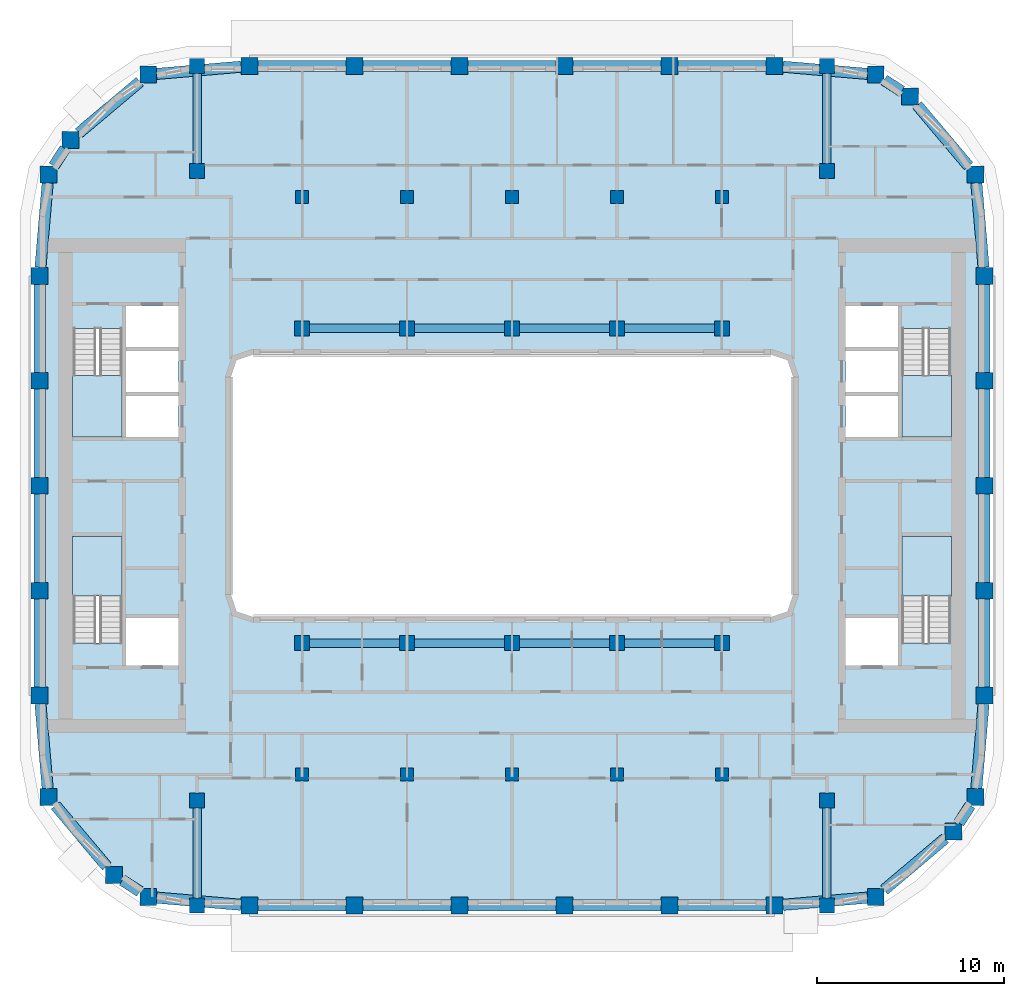
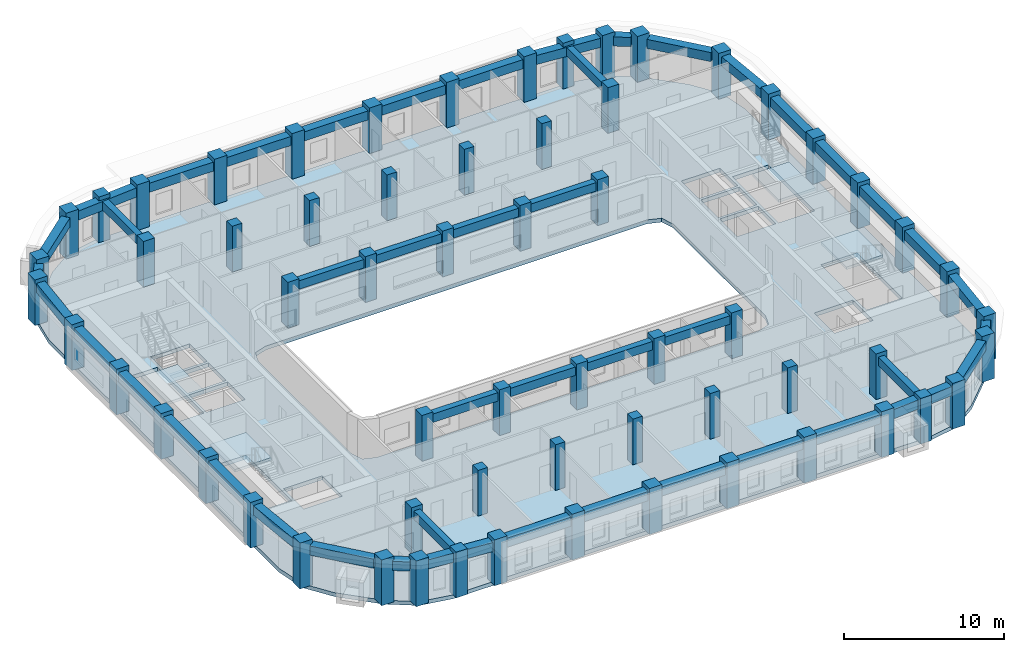
# One storey, part 1 of 21: 62 columns, 46 beams, 5 slabs, 4 elements without a shape of their own.
"""IFC4 building model written with IfcOpenShell, lengths in metres."""

from ifc_helpers import new_model, si_unit, direction, frame, origin, origin_2d, place, context, subcontext, project, spatial, polyline, rectangle, outline, extrude, material, layer, layer_set, material_profile, profile_set, type_object, element, aggregate, save


model = new_model("IFC4")

# Units and contexts
model_context = context("Model", 3, precision=1e-05, world=origin(), true_north=direction((0.0, 1.0)))
body_context = subcontext(model_context, "Body", "Model", "MODEL_VIEW")
ifc_project = project(units=[si_unit("LENGTHUNIT", "METRE"), si_unit("AREAUNIT", "SQUARE_METRE"), si_unit("VOLUMEUNIT", "CUBIC_METRE"), si_unit("PLANEANGLEUNIT", "RADIAN"), si_unit("MASSUNIT", "GRAM", prefix="KILO")], contexts=[model_context])

# Site, building, storey
site_placement = place(None, origin())
site = spatial("IfcSite", under=ifc_project, at=site_placement, CompositionType="ELEMENT")
building_placement = place(site_placement, origin())
building = spatial("IfcBuilding", under=site, at=building_placement, Name="Kiln Ring Residences", CompositionType="ELEMENT")
storey_placement = place(building_placement, frame((0.0, 0.0, 192.39990234375)))
storey = spatial("IfcBuildingStorey", under=building, at=storey_placement, Name="L49", CompositionType="ELEMENT", Elevation=192.39990234375)

# Columns
ifc_material_1 = material(Name="Concrete C70/85", Category="concrete")
ifc_material_profile_1 = material_profile(ifc_material_1, rectangle(XDim=0.699951171875, YDim=0.699951171875, at=origin_2d()), Name="RC700x700")
ifc_profile_set_1 = profile_set([ifc_material_profile_1], Name="Concrete C70/85")
column_type_1 = type_object("IfcColumnType", Name="Corridor column RC700x700 C70/85", PredefinedType="COLUMN", material=ifc_profile_set_1)
for number, where, z_axis, x_axis, name in (
    (1, (-11.199951171875, 15.39990234375, 0.0), (0.0, 0.0, 1.0), (1.0, 0.0, 0.0), "Corridor column L49 1"),
    (2, (-5.60009765625, 15.39990234375, 0.0), (0.0, 0.0, 1.0), (1.0, 0.0, 0.0), "Corridor column L49 2"),
    (3, (0.0, 15.39990234375, 0.0), (0.0, 0.0, 1.0), (1.0, 0.0, 0.0), "Corridor column L49 3"),
    (4, (5.60009765625, 15.39990234375, 0.0), (0.0, 0.0, 1.0), (1.0, 0.0, 0.0), "Corridor column L49 4"),
    (5, (11.199951171875, 15.39990234375, 0.0), (0.0, 0.0, 1.0), (1.0, 0.0, 0.0), "Corridor column L49 5"),
    (6, (-11.199951171875, -15.39990234375, 0.0), (0.0, 0.0, 1.0), (1.0, 0.0, 0.0), "Corridor column L49 6"),
    (7, (-5.60009765625, -15.39990234375, 0.0), (0.0, 0.0, 1.0), (1.0, 0.0, 0.0), "Corridor column L49 7"),
    (8, (0.0, -15.39990234375, 0.0), (0.0, 0.0, 1.0), (1.0, 0.0, 0.0), "Corridor column L49 8"),
    (9, (5.60009765625, -15.39990234375, 0.0), (0.0, 0.0, 1.0), (1.0, 0.0, 0.0), "Corridor column L49 9"),
    (10, (11.199951171875, -15.39990234375, 0.0), (0.0, 0.0, 1.0), (1.0, 0.0, 0.0), "Corridor column L49 10"),
):
    element("IfcColumn", number, at=place(storey_placement, frame(where, z_axis=z_axis, x_axis=x_axis)), inside=storey, type_object=column_type_1, Name=name, PredefinedType="COLUMN", context=body_context, shape_type="SweptSolid", body=[
        extrude(rectangle(XDim=0.699951171875, YDim=0.699951171875, at=origin_2d()), origin(), (0.0, 0.0, 1.0), 3.5),
    ])
ifc_material_2 = material(Name="Concrete C70/85", Category="concrete")
ifc_material_profile_2 = material_profile(ifc_material_2, rectangle(XDim=0.89990234375, YDim=0.89990234375, at=origin_2d()), Name="RC900x900")
ifc_profile_set_2 = profile_set([ifc_material_profile_2], Name="Concrete C70/85")
column_type_2 = type_object("IfcColumnType", Name="Perimeter column RC900x900 C70/85", PredefinedType="COLUMN", material=ifc_profile_set_2)
for number, where, z_axis, x_axis, name in (
    (11, (-19.40869140625, -21.93798828125, 0.0), (0.0, 0.0, 1.0), (1.0, 0.0, 0.0), "Perimeter column L49 1"),
    (12, (-14.0, -22.39990234375, 0.0), (0.0, 0.0, 1.0), (1.0, 0.0, 0.0), "Perimeter column L49 2"),
    (13, (-8.39990234375, -22.39990234375, 0.0), (0.0, 0.0, 1.0), (1.0, 0.0, 0.0), "Perimeter column L49 3"),
    (14, (-2.800048828125, -22.39990234375, 0.0), (0.0, 0.0, 1.0), (1.0, 0.0, 0.0), "Perimeter column L49 4"),
    (15, (2.800048828125, -22.39990234375, 0.0), (0.0, 0.0, 1.0), (1.0, 0.0, 0.0), "Perimeter column L49 5"),
    (16, (8.39990234375, -22.39990234375, 0.0), (0.0, 0.0, 1.0), (1.0, 0.0, 0.0), "Perimeter column L49 6"),
    (17, (14.0, -22.39990234375, 0.0), (0.0, 0.0, 1.0), (1.0, 0.0, 0.0), "Perimeter column L49 7"),
    (18, (19.40869140625, -21.93798828125, 0.0), (0.0, 0.0, 1.0), (1.0, 0.0, 0.0), "Perimeter column L49 8"),
    (19, (23.559814453125, -18.440185546875, 0.0), (0.0, 0.0, 1.0), (1.0, 0.0, 0.0), "Perimeter column L49 9"),
    (20, (24.738037109375, -16.608642578125, 0.0), (0.0, 0.0, 1.0), (1.0, 0.0, 0.0), "Perimeter column L49 10"),
    (21, (25.199951171875, -11.199951171875, 0.0), (0.0, 0.0, 1.0), (1.0, 0.0, 0.0), "Perimeter column L49 11"),
    (22, (25.199951171875, -5.60009765625, 0.0), (0.0, 0.0, 1.0), (1.0, 0.0, 0.0), "Perimeter column L49 12"),
    (23, (25.199951171875, 0.0, 0.0), (0.0, 0.0, 1.0), (1.0, 0.0, 0.0), "Perimeter column L49 13"),
    (24, (25.199951171875, 5.60009765625, 0.0), (0.0, 0.0, 1.0), (1.0, 0.0, 0.0), "Perimeter column L49 14"),
    (25, (25.199951171875, 11.199951171875, 0.0), (0.0, 0.0, 1.0), (1.0, 0.0, 0.0), "Perimeter column L49 15"),
    (26, (24.738037109375, 16.608642578125, 0.0), (0.0, 0.0, 1.0), (1.0, 0.0, 0.0), "Perimeter column L49 16"),
    (27, (21.240234375, 20.759765625, 0.0), (0.0, 0.0, 1.0), (1.0, 0.0, 0.0), "Perimeter column L49 17"),
    (28, (19.40869140625, 21.93798828125, 0.0), (0.0, 0.0, 1.0), (1.0, 0.0, 0.0), "Perimeter column L49 18"),
    (29, (14.0, 22.39990234375, 0.0), (0.0, 0.0, 1.0), (1.0, 0.0, 0.0), "Perimeter column L49 19"),
    (30, (8.39990234375, 22.39990234375, 0.0), (0.0, 0.0, 1.0), (1.0, 0.0, 0.0), "Perimeter column L49 20"),
    (31, (2.800048828125, 22.39990234375, 0.0), (0.0, 0.0, 1.0), (1.0, 0.0, 0.0), "Perimeter column L49 21"),
    (32, (-2.800048828125, 22.39990234375, 0.0), (0.0, 0.0, 1.0), (1.0, 0.0, 0.0), "Perimeter column L49 22"),
    (33, (-8.39990234375, 22.39990234375, 0.0), (0.0, 0.0, 1.0), (1.0, 0.0, 0.0), "Perimeter column L49 23"),
    (34, (-14.0, 22.39990234375, 0.0), (0.0, 0.0, 1.0), (1.0, 0.0, 0.0), "Perimeter column L49 24"),
    (35, (-19.40869140625, 21.93798828125, 0.0), (0.0, 0.0, 1.0), (1.0, 0.0, 0.0), "Perimeter column L49 25"),
    (36, (-23.559814453125, 18.440185546875, 0.0), (0.0, 0.0, 1.0), (1.0, 0.0, 0.0), "Perimeter column L49 26"),
    (37, (-24.738037109375, 16.608642578125, 0.0), (0.0, 0.0, 1.0), (1.0, 0.0, 0.0), "Perimeter column L49 27"),
    (38, (-25.199951171875, 11.199951171875, 0.0), (0.0, 0.0, 1.0), (1.0, 0.0, 0.0), "Perimeter column L49 28"),
    (39, (-25.199951171875, 5.60009765625, 0.0), (0.0, 0.0, 1.0), (1.0, 0.0, 0.0), "Perimeter column L49 29"),
    (40, (-25.199951171875, 0.0, 0.0), (0.0, 0.0, 1.0), (1.0, 0.0, 0.0), "Perimeter column L49 30"),
    (41, (-25.199951171875, -5.60009765625, 0.0), (0.0, 0.0, 1.0), (1.0, 0.0, 0.0), "Perimeter column L49 31"),
    (42, (-25.199951171875, -11.199951171875, 0.0), (0.0, 0.0, 1.0), (1.0, 0.0, 0.0), "Perimeter column L49 32"),
    (43, (-24.738037109375, -16.608642578125, 0.0), (0.0, 0.0, 1.0), (1.0, 0.0, 0.0), "Perimeter column L49 33"),
    (44, (-21.240234375, -20.759765625, 0.0), (0.0, 0.0, 1.0), (1.0, 0.0, 0.0), "Perimeter column L49 34"),
):
    element("IfcColumn", number, at=place(storey_placement, frame(where, z_axis=z_axis, x_axis=x_axis)), inside=storey, type_object=column_type_2, Name=name, PredefinedType="COLUMN", context=body_context, shape_type="SweptSolid", body=[
        extrude(rectangle(XDim=0.89990234375, YDim=0.89990234375, at=origin_2d()), origin(), (0.0, 0.0, 1.0), 3.5),
    ])
ifc_material_3 = material(Name="Concrete C70/85", Category="concrete")
ifc_material_profile_3 = material_profile(ifc_material_3, rectangle(XDim=0.800048828125, YDim=0.800048828125, at=origin_2d()), Name="RC800x800")
ifc_profile_set_3 = profile_set([ifc_material_profile_3], Name="Concrete C70/85")
column_type_3 = type_object("IfcColumnType", Name="Ring column RC800x800 C70/85", PredefinedType="COLUMN", material=ifc_profile_set_3)
for number, where, z_axis, x_axis, name in (
    (45, (-16.800048828125, -22.39990234375, 0.0), (0.0, 0.0, 1.0), (1.0, 0.0, 0.0), "Ring column L49 1"),
    (46, (-16.800048828125, -16.800048828125, 0.0), (0.0, 0.0, 1.0), (1.0, 0.0, 0.0), "Ring column L49 2"),
    (47, (-16.800048828125, 16.800048828125, 0.0), (0.0, 0.0, 1.0), (1.0, 0.0, 0.0), "Ring column L49 3"),
    (48, (-16.800048828125, 22.39990234375, 0.0), (0.0, 0.0, 1.0), (1.0, 0.0, 0.0), "Ring column L49 4"),
    (49, (-11.199951171875, -8.39990234375, 0.0), (0.0, 0.0, 1.0), (1.0, 0.0, 0.0), "Ring column L49 5"),
    (50, (-11.199951171875, 8.39990234375, 0.0), (0.0, 0.0, 1.0), (1.0, 0.0, 0.0), "Ring column L49 6"),
    (51, (-5.60009765625, -8.39990234375, 0.0), (0.0, 0.0, 1.0), (1.0, 0.0, 0.0), "Ring column L49 7"),
    (52, (-5.60009765625, 8.39990234375, 0.0), (0.0, 0.0, 1.0), (1.0, 0.0, 0.0), "Ring column L49 8"),
    (53, (0.0, -8.39990234375, 0.0), (0.0, 0.0, 1.0), (1.0, 0.0, 0.0), "Ring column L49 9"),
    (54, (0.0, 8.39990234375, 0.0), (0.0, 0.0, 1.0), (1.0, 0.0, 0.0), "Ring column L49 10"),
    (55, (5.60009765625, -8.39990234375, 0.0), (0.0, 0.0, 1.0), (1.0, 0.0, 0.0), "Ring column L49 11"),
    (56, (5.60009765625, 8.39990234375, 0.0), (0.0, 0.0, 1.0), (1.0, 0.0, 0.0), "Ring column L49 12"),
    (57, (11.199951171875, -8.39990234375, 0.0), (0.0, 0.0, 1.0), (1.0, 0.0, 0.0), "Ring column L49 13"),
    (58, (11.199951171875, 8.39990234375, 0.0), (0.0, 0.0, 1.0), (1.0, 0.0, 0.0), "Ring column L49 14"),
    (59, (16.800048828125, -22.39990234375, 0.0), (0.0, 0.0, 1.0), (1.0, 0.0, 0.0), "Ring column L49 15"),
    (60, (16.800048828125, -16.800048828125, 0.0), (0.0, 0.0, 1.0), (1.0, 0.0, 0.0), "Ring column L49 16"),
    (61, (16.800048828125, 16.800048828125, 0.0), (0.0, 0.0, 1.0), (1.0, 0.0, 0.0), "Ring column L49 17"),
    (62, (16.800048828125, 22.39990234375, 0.0), (0.0, 0.0, 1.0), (1.0, 0.0, 0.0), "Ring column L49 18"),
):
    element("IfcColumn", number, at=place(storey_placement, frame(where, z_axis=z_axis, x_axis=x_axis)), inside=storey, type_object=column_type_3, Name=name, PredefinedType="COLUMN", context=body_context, shape_type="SweptSolid", body=[
        extrude(rectangle(XDim=0.800048828125, YDim=0.800048828125, at=origin_2d()), origin(), (0.0, 0.0, 1.0), 3.5),
    ])

# Beams
ifc_material_4 = material(Name="Concrete C50/60", Category="concrete")
ifc_material_profile_4 = material_profile(ifc_material_4, rectangle(XDim=0.449951171875, YDim=0.64990234375, at=origin_2d()), Name="RC450x650")
ifc_profile_set_4 = profile_set([ifc_material_profile_4], Name="Concrete C50/60")
beam_type_1 = type_object("IfcBeamType", Name="Ring beam RC450x650 C50/60", PredefinedType="BEAM", material=ifc_profile_set_4)
for number, where, z_axis, x_axis, name in (
    (63, (-10.800048828125, -8.39990234375, 2.875), (1.0, 0.0, 0.0), (0.0, 1.0, 0.0), "Ring beam L49 1"),
    (64, (-5.199951171875, -8.39990234375, 2.875), (1.0, 0.0, 0.0), (0.0, 1.0, 0.0), "Ring beam L49 2"),
    (65, (0.39990234375, -8.39990234375, 2.875), (1.0, 0.0, 0.0), (0.0, 1.0, 0.0), "Ring beam L49 3"),
    (66, (6.0, -8.39990234375, 2.875), (1.0, 0.0, 0.0), (0.0, 1.0, 0.0), "Ring beam L49 4"),
    (67, (-10.800048828125, 8.39990234375, 2.875), (1.0, 0.0, 0.0), (0.0, 1.0, 0.0), "Ring beam L49 5"),
    (68, (-5.199951171875, 8.39990234375, 2.875), (1.0, 0.0, 0.0), (0.0, 1.0, 0.0), "Ring beam L49 6"),
    (69, (0.39990234375, 8.39990234375, 2.875), (1.0, 0.0, 0.0), (0.0, 1.0, 0.0), "Ring beam L49 7"),
    (70, (6.0, 8.39990234375, 2.875), (1.0, 0.0, 0.0), (0.0, 1.0, 0.0), "Ring beam L49 8"),
    (71, (-16.800048828125, -17.199951171875, 2.875), (0.0, -1.0, 0.0), (1.0, 0.0, 0.0), "Ring beam L49 9"),
    (72, (-16.800048828125, 17.199951171875, 2.875), (0.0, 1.0, 0.0), (-1.0, 0.0, 0.0), "Ring beam L49 10"),
    (73, (16.800048828125, -17.199951171875, 2.875), (0.0, -1.0, 0.0), (1.0, 0.0, 0.0), "Ring beam L49 11"),
    (74, (16.800048828125, 17.199951171875, 2.875), (0.0, 1.0, 0.0), (-1.0, 0.0, 0.0), "Ring beam L49 12"),
):
    element("IfcBeam", number, at=place(storey_placement, frame(where, z_axis=z_axis, x_axis=x_axis)), inside=storey, type_object=beam_type_1, Name=name, PredefinedType="BEAM", context=body_context, shape_type="SweptSolid", body=[
        extrude(rectangle(XDim=0.449951171875, YDim=0.64990234375, at=origin_2d()), origin(), (0.0, 0.0, 1.0), 4.800048828125),
    ])
ifc_material_5 = material(Name="Concrete C50/60", Category="concrete")
ifc_material_profile_5 = material_profile(ifc_material_5, rectangle(XDim=0.60009765625, YDim=0.699951171875, at=origin_2d()), Name="RC600x700")
ifc_profile_set_5 = profile_set([ifc_material_profile_5], Name="Concrete C50/60")
beam_type_2 = type_object("IfcBeamType", Name="Spandrel beam RC600x700 C50/60", PredefinedType="SPANDREL", material=ifc_profile_set_5)
beam_1_placement = place(storey_placement, frame((-18.958740234375, -21.9765625, 2.85009765625), z_axis=(0.996374010608, -0.085081319836, 0.0), x_axis=(0.085081319836, 0.996374010608, 0.0)))
element("IfcBeam", 75, at=beam_1_placement, inside=storey, type_object=beam_type_2, Name="Spandrel beam L49 1", PredefinedType="SPANDREL", context=body_context, shape_type="SweptSolid", body=[
    extrude(rectangle(XDim=0.60009765625, YDim=0.699951171875, at=origin_2d()), origin(), (0.0, 0.0, 1.0), 4.525146484375),
])
for number, where, z_axis, x_axis, name in (
    (76, (-13.550048828125, -22.39990234375, 2.85009765625), (1.0, 0.0, 0.0), (0.0, 1.0, 0.0), "Spandrel beam L49 2"),
    (77, (-7.949951171875, -22.39990234375, 2.85009765625), (1.0, 0.0, 0.0), (0.0, 1.0, 0.0), "Spandrel beam L49 3"),
):
    element("IfcBeam", number, at=place(storey_placement, frame(where, z_axis=z_axis, x_axis=x_axis)), inside=storey, type_object=beam_type_2, Name=name, PredefinedType="SPANDREL", context=body_context, shape_type="SweptSolid", body=[
        extrude(rectangle(XDim=0.60009765625, YDim=0.699951171875, at=origin_2d()), origin(), (0.0, 0.0, 1.0), 4.699951171875),
    ])
beam_2_placement = place(storey_placement, frame((-2.35009765625, -22.39990234375, 2.85009765625), z_axis=(1.0, 0.0, 0.0), x_axis=(0.0, 1.0, 0.0)))
element("IfcBeam", 78, at=beam_2_placement, inside=storey, type_object=beam_type_2, Name="Spandrel beam L49 4", PredefinedType="SPANDREL", context=body_context, shape_type="SweptSolid", body=[
    extrude(rectangle(XDim=0.60009765625, YDim=0.699951171875, at=origin_2d()), origin(), (0.0, 0.0, 1.0), 4.7001953125),
])
for number, where, z_axis, x_axis, name in (
    (79, (3.25, -22.39990234375, 2.85009765625), (1.0, 0.0, 0.0), (0.0, 1.0, 0.0), "Spandrel beam L49 5"),
    (80, (8.85009765625, -22.39990234375, 2.85009765625), (1.0, 0.0, 0.0), (0.0, 1.0, 0.0), "Spandrel beam L49 6"),
):
    element("IfcBeam", number, at=place(storey_placement, frame(where, z_axis=z_axis, x_axis=x_axis)), inside=storey, type_object=beam_type_2, Name=name, PredefinedType="SPANDREL", context=body_context, shape_type="SweptSolid", body=[
        extrude(rectangle(XDim=0.60009765625, YDim=0.699951171875, at=origin_2d()), origin(), (0.0, 0.0, 1.0), 4.699951171875),
    ])
beam_3_placement = place(storey_placement, frame((14.449951171875, -22.361572265625, 2.85009765625), z_axis=(0.996374010608, 0.085081319836, 0.0), x_axis=(-0.085081319836, 0.996374010608, 0.0)))
element("IfcBeam", 81, at=beam_3_placement, inside=storey, type_object=beam_type_2, Name="Spandrel beam L49 7", PredefinedType="SPANDREL", context=body_context, shape_type="SweptSolid", body=[
    extrude(rectangle(XDim=0.60009765625, YDim=0.699951171875, at=origin_2d()), origin(), (0.0, 0.0, 1.0), 4.525146484375),
])
beam_4_placement = place(storey_placement, frame((19.858642578125, -21.558837890625, 2.85009765625), z_axis=(0.764722045893, 0.644360297136, 0.0), x_axis=(-0.644360297136, 0.764722045893, 0.0)))
element("IfcBeam", 82, at=beam_4_placement, inside=storey, type_object=beam_type_2, Name="Spandrel beam L49 8", PredefinedType="SPANDREL", context=body_context, shape_type="SweptSolid", body=[
    extrude(rectangle(XDim=0.60009765625, YDim=0.699951171875, at=origin_2d()), origin(), (0.0, 0.0, 1.0), 4.25146484375),
])
beam_5_placement = place(storey_placement, frame((23.849365234375, -17.990234375, 2.85009765625), z_axis=(0.540891264019, 0.841092527911, 0.0), x_axis=(-0.841092527911, 0.540891264019, 0.0)))
element("IfcBeam", 83, at=beam_5_placement, inside=storey, type_object=beam_type_2, Name="Spandrel beam L49 9", PredefinedType="SPANDREL", context=body_context, shape_type="SweptSolid", body=[
    extrude(rectangle(XDim=0.60009765625, YDim=0.699951171875, at=origin_2d()), origin(), (0.0, 0.0, 1.0), 1.107666015625),
])
beam_6_placement = place(storey_placement, frame((24.776611328125, -16.15869140625, 2.85009765625), z_axis=(0.085081319836, 0.996374010608, 0.0), x_axis=(-0.996374010608, 0.085081319836, 0.0)))
element("IfcBeam", 84, at=beam_6_placement, inside=storey, type_object=beam_type_2, Name="Spandrel beam L49 10", PredefinedType="SPANDREL", context=body_context, shape_type="SweptSolid", body=[
    extrude(rectangle(XDim=0.60009765625, YDim=0.699951171875, at=origin_2d()), origin(), (0.0, 0.0, 1.0), 4.525146484375),
])
for number, where, z_axis, x_axis, name in (
    (85, (25.199951171875, -10.75, 2.85009765625), (0.0, 1.0, 0.0), (-1.0, 0.0, 0.0), "Spandrel beam L49 11"),
    (86, (25.199951171875, -5.14990234375, 2.85009765625), (0.0, 1.0, 0.0), (-1.0, 0.0, 0.0), "Spandrel beam L49 12"),
    (87, (25.199951171875, 0.449951171875, 2.85009765625), (0.0, 1.0, 0.0), (-1.0, 0.0, 0.0), "Spandrel beam L49 13"),
    (88, (25.199951171875, 6.050048828125, 2.85009765625), (0.0, 1.0, 0.0), (-1.0, 0.0, 0.0), "Spandrel beam L49 14"),
):
    element("IfcBeam", number, at=place(storey_placement, frame(where, z_axis=z_axis, x_axis=x_axis)), inside=storey, type_object=beam_type_2, Name=name, PredefinedType="SPANDREL", context=body_context, shape_type="SweptSolid", body=[
        extrude(rectangle(XDim=0.60009765625, YDim=0.699951171875, at=origin_2d()), origin(), (0.0, 0.0, 1.0), 4.699951171875),
    ])
beam_7_placement = place(storey_placement, frame((25.16162109375, 11.64990234375, 2.85009765625), z_axis=(-0.085081319836, 0.996374010608, 0.0), x_axis=(-0.996374010608, -0.085081319836, 0.0)))
element("IfcBeam", 89, at=beam_7_placement, inside=storey, type_object=beam_type_2, Name="Spandrel beam L49 15", PredefinedType="SPANDREL", context=body_context, shape_type="SweptSolid", body=[
    extrude(rectangle(XDim=0.60009765625, YDim=0.699951171875, at=origin_2d()), origin(), (0.0, 0.0, 1.0), 4.525146484375),
])
beam_8_placement = place(storey_placement, frame((24.35888671875, 17.05859375, 2.85009765625), z_axis=(-0.644360297136, 0.764722045893, 0.0), x_axis=(-0.764722045893, -0.644360297136, 0.0)))
element("IfcBeam", 90, at=beam_8_placement, inside=storey, type_object=beam_type_2, Name="Spandrel beam L49 16", PredefinedType="SPANDREL", context=body_context, shape_type="SweptSolid", body=[
    extrude(rectangle(XDim=0.60009765625, YDim=0.699951171875, at=origin_2d()), origin(), (0.0, 0.0, 1.0), 4.25146484375),
])
beam_9_placement = place(storey_placement, frame((20.790283203125, 21.04931640625, 2.85009765625), z_axis=(-0.840992251229, 0.541047163723, 0.0), x_axis=(-0.541047163723, -0.840992251229, 0.0)))
element("IfcBeam", 91, at=beam_9_placement, inside=storey, type_object=beam_type_2, Name="Spandrel beam L49 17", PredefinedType="SPANDREL", context=body_context, shape_type="SweptSolid", body=[
    extrude(rectangle(XDim=0.60009765625, YDim=0.699951171875, at=origin_2d()), origin(), (0.0, 0.0, 1.0), 1.107666015625),
])
beam_10_placement = place(storey_placement, frame((18.958740234375, 21.9765625, 2.85009765625), z_axis=(-0.996374010608, 0.085081319836, 0.0), x_axis=(-0.085081319836, -0.996374010608, 0.0)))
element("IfcBeam", 92, at=beam_10_placement, inside=storey, type_object=beam_type_2, Name="Spandrel beam L49 18", PredefinedType="SPANDREL", context=body_context, shape_type="SweptSolid", body=[
    extrude(rectangle(XDim=0.60009765625, YDim=0.699951171875, at=origin_2d()), origin(), (0.0, 0.0, 1.0), 4.525146484375),
])
for number, where, z_axis, x_axis, name in (
    (93, (13.550048828125, 22.39990234375, 2.85009765625), (-1.0, 0.0, 0.0), (0.0, -1.0, 0.0), "Spandrel beam L49 19"),
    (94, (7.949951171875, 22.39990234375, 2.85009765625), (-1.0, 0.0, 0.0), (0.0, -1.0, 0.0), "Spandrel beam L49 20"),
):
    element("IfcBeam", number, at=place(storey_placement, frame(where, z_axis=z_axis, x_axis=x_axis)), inside=storey, type_object=beam_type_2, Name=name, PredefinedType="SPANDREL", context=body_context, shape_type="SweptSolid", body=[
        extrude(rectangle(XDim=0.60009765625, YDim=0.699951171875, at=origin_2d()), origin(), (0.0, 0.0, 1.0), 4.699951171875),
    ])
beam_11_placement = place(storey_placement, frame((2.35009765625, 22.39990234375, 2.85009765625), z_axis=(-1.0, 0.0, 0.0), x_axis=(0.0, -1.0, 0.0)))
element("IfcBeam", 95, at=beam_11_placement, inside=storey, type_object=beam_type_2, Name="Spandrel beam L49 21", PredefinedType="SPANDREL", context=body_context, shape_type="SweptSolid", body=[
    extrude(rectangle(XDim=0.60009765625, YDim=0.699951171875, at=origin_2d()), origin(), (0.0, 0.0, 1.0), 4.7001953125),
])
for number, where, z_axis, x_axis, name in (
    (96, (-3.25, 22.39990234375, 2.85009765625), (-1.0, 0.0, 0.0), (0.0, -1.0, 0.0), "Spandrel beam L49 22"),
    (97, (-8.85009765625, 22.39990234375, 2.85009765625), (-1.0, 0.0, 0.0), (0.0, -1.0, 0.0), "Spandrel beam L49 23"),
):
    element("IfcBeam", number, at=place(storey_placement, frame(where, z_axis=z_axis, x_axis=x_axis)), inside=storey, type_object=beam_type_2, Name=name, PredefinedType="SPANDREL", context=body_context, shape_type="SweptSolid", body=[
        extrude(rectangle(XDim=0.60009765625, YDim=0.699951171875, at=origin_2d()), origin(), (0.0, 0.0, 1.0), 4.699951171875),
    ])
beam_12_placement = place(storey_placement, frame((-14.449951171875, 22.361572265625, 2.85009765625), z_axis=(-0.996374010608, -0.085081319836, 0.0), x_axis=(0.085081319836, -0.996374010608, 0.0)))
element("IfcBeam", 98, at=beam_12_placement, inside=storey, type_object=beam_type_2, Name="Spandrel beam L49 24", PredefinedType="SPANDREL", context=body_context, shape_type="SweptSolid", body=[
    extrude(rectangle(XDim=0.60009765625, YDim=0.699951171875, at=origin_2d()), origin(), (0.0, 0.0, 1.0), 4.525146484375),
])
beam_13_placement = place(storey_placement, frame((-19.858642578125, 21.558837890625, 2.85009765625), z_axis=(-0.764722045893, -0.644360297136, 0.0), x_axis=(0.644360297136, -0.764722045893, 0.0)))
element("IfcBeam", 99, at=beam_13_placement, inside=storey, type_object=beam_type_2, Name="Spandrel beam L49 25", PredefinedType="SPANDREL", context=body_context, shape_type="SweptSolid", body=[
    extrude(rectangle(XDim=0.60009765625, YDim=0.699951171875, at=origin_2d()), origin(), (0.0, 0.0, 1.0), 4.25146484375),
])
beam_14_placement = place(storey_placement, frame((-23.849365234375, 17.990234375, 2.85009765625), z_axis=(-0.540891264019, -0.841092527911, 0.0), x_axis=(0.841092527911, -0.540891264019, 0.0)))
element("IfcBeam", 100, at=beam_14_placement, inside=storey, type_object=beam_type_2, Name="Spandrel beam L49 26", PredefinedType="SPANDREL", context=body_context, shape_type="SweptSolid", body=[
    extrude(rectangle(XDim=0.60009765625, YDim=0.699951171875, at=origin_2d()), origin(), (0.0, 0.0, 1.0), 1.107666015625),
])
beam_15_placement = place(storey_placement, frame((-24.776611328125, 16.15869140625, 2.85009765625), z_axis=(-0.085081319836, -0.996374010608, 0.0), x_axis=(0.996374010608, -0.085081319836, 0.0)))
element("IfcBeam", 101, at=beam_15_placement, inside=storey, type_object=beam_type_2, Name="Spandrel beam L49 27", PredefinedType="SPANDREL", context=body_context, shape_type="SweptSolid", body=[
    extrude(rectangle(XDim=0.60009765625, YDim=0.699951171875, at=origin_2d()), origin(), (0.0, 0.0, 1.0), 4.525146484375),
])
for number, where, z_axis, x_axis, name in (
    (102, (-25.199951171875, 10.75, 2.85009765625), (0.0, -1.0, 0.0), (1.0, 0.0, 0.0), "Spandrel beam L49 28"),
    (103, (-25.199951171875, 5.14990234375, 2.85009765625), (0.0, -1.0, 0.0), (1.0, 0.0, 0.0), "Spandrel beam L49 29"),
    (104, (-25.199951171875, -0.449951171875, 2.85009765625), (0.0, -1.0, 0.0), (1.0, 0.0, 0.0), "Spandrel beam L49 30"),
    (105, (-25.199951171875, -6.050048828125, 2.85009765625), (0.0, -1.0, 0.0), (1.0, 0.0, 0.0), "Spandrel beam L49 31"),
):
    element("IfcBeam", number, at=place(storey_placement, frame(where, z_axis=z_axis, x_axis=x_axis)), inside=storey, type_object=beam_type_2, Name=name, PredefinedType="SPANDREL", context=body_context, shape_type="SweptSolid", body=[
        extrude(rectangle(XDim=0.60009765625, YDim=0.699951171875, at=origin_2d()), origin(), (0.0, 0.0, 1.0), 4.699951171875),
    ])
beam_16_placement = place(storey_placement, frame((-25.16162109375, -11.64990234375, 2.85009765625), z_axis=(0.085081319836, -0.996374010608, 0.0), x_axis=(0.996374010608, 0.085081319836, 0.0)))
element("IfcBeam", 106, at=beam_16_placement, inside=storey, type_object=beam_type_2, Name="Spandrel beam L49 32", PredefinedType="SPANDREL", context=body_context, shape_type="SweptSolid", body=[
    extrude(rectangle(XDim=0.60009765625, YDim=0.699951171875, at=origin_2d()), origin(), (0.0, 0.0, 1.0), 4.525146484375),
])
beam_17_placement = place(storey_placement, frame((-24.35888671875, -17.05859375, 2.85009765625), z_axis=(0.644360297136, -0.764722045893, 0.0), x_axis=(0.764722045893, 0.644360297136, 0.0)))
element("IfcBeam", 107, at=beam_17_placement, inside=storey, type_object=beam_type_2, Name="Spandrel beam L49 33", PredefinedType="SPANDREL", context=body_context, shape_type="SweptSolid", body=[
    extrude(rectangle(XDim=0.60009765625, YDim=0.699951171875, at=origin_2d()), origin(), (0.0, 0.0, 1.0), 4.25146484375),
])
beam_18_placement = place(storey_placement, frame((-20.790283203125, -21.04931640625, 2.85009765625), z_axis=(0.840992251229, -0.541047163723, 0.0), x_axis=(0.541047163723, 0.840992251229, 0.0)))
element("IfcBeam", 108, at=beam_18_placement, inside=storey, type_object=beam_type_2, Name="Spandrel beam L49 34", PredefinedType="SPANDREL", context=body_context, shape_type="SweptSolid", body=[
    extrude(rectangle(XDim=0.60009765625, YDim=0.699951171875, at=origin_2d()), origin(), (0.0, 0.0, 1.0), 1.107666015625),
])

# Stair, slab
ifc_material_6 = material(Name="Concrete C40/50", Category="concrete")
stair_type = type_object("IfcStairType", Name="CORE-STAIR", PredefinedType="HALF_TURN_STAIR", material=ifc_material_6)
placement_1 = place(storey_placement, origin())
stair_1 = element("IfcStair", 109, at=placement_1, inside=storey, type_object=stair_type, Name="L49 stair W-STN", PredefinedType="HALF_TURN_STAIR")
ifc_material_7 = material(Name="Concrete C40/50", Category="concrete")
ifc_layer_1 = layer(ifc_material_7, 0.199951171875)
ifc_layer_set_1 = layer_set([ifc_layer_1], Name="CORE-STAIR-LANDING")
slab_type_1 = type_object("IfcSlabType", Name="CORE-STAIR-LANDING", PredefinedType="LANDING", material=ifc_layer_set_1)
placement_2 = place(storey_placement, frame((0.0, 0.0, 1.550048828125)))
slab_1 = element("IfcSlab", 110, at=placement_2, type_object=slab_type_1, Name="W-STN landing 1", PredefinedType="LANDING", context=body_context, shape_type="SweptSolid", body=[
    extrude(outline(polyline([(-23.449951171875, 5.8798828125), (-23.449951171875, 2.60009765625), (-20.800048828125, 2.60009765625), (-20.800048828125, 5.8798828125), (-23.449951171875, 5.8798828125)])), origin(), (0.0, 0.0, 1.0), 0.199951171875),
])
aggregate(stair_1, [slab_1])

stair_2 = element("IfcStair", 111, at=placement_1, inside=storey, type_object=stair_type, Name="L49 stair W-STS", PredefinedType="HALF_TURN_STAIR")
slab_2 = element("IfcSlab", 112, at=placement_2, type_object=slab_type_1, Name="W-STS landing 1", PredefinedType="LANDING", context=body_context, shape_type="SweptSolid", body=[
    extrude(outline(polyline([(-20.800048828125, -5.8798828125), (-20.800048828125, -2.699951171875), (-23.449951171875, -2.699951171875), (-23.449951171875, -5.8798828125), (-20.800048828125, -5.8798828125)])), origin(), (0.0, 0.0, 1.0), 0.199951171875),
])
aggregate(stair_2, [slab_2])

stair_3 = element("IfcStair", 113, at=placement_1, inside=storey, type_object=stair_type, Name="L49 stair E-STN", PredefinedType="HALF_TURN_STAIR")
slab_3 = element("IfcSlab", 114, at=placement_2, type_object=slab_type_1, Name="E-STN landing 1", PredefinedType="LANDING", context=body_context, shape_type="SweptSolid", body=[
    extrude(outline(polyline([(20.800048828125, 5.8798828125), (20.800048828125, 2.60009765625), (23.449951171875, 2.60009765625), (23.449951171875, 5.8798828125), (20.800048828125, 5.8798828125)])), origin(), (0.0, 0.0, 1.0), 0.199951171875),
])
aggregate(stair_3, [slab_3])

stair_4 = element("IfcStair", 115, at=placement_1, inside=storey, type_object=stair_type, Name="L49 stair E-STS", PredefinedType="HALF_TURN_STAIR")
slab_4 = element("IfcSlab", 116, at=placement_2, type_object=slab_type_1, Name="E-STS landing 1", PredefinedType="LANDING", context=body_context, shape_type="SweptSolid", body=[
    extrude(outline(polyline([(23.449951171875, -5.8798828125), (23.449951171875, -2.699951171875), (20.800048828125, -2.699951171875), (20.800048828125, -5.8798828125), (23.449951171875, -5.8798828125)])), origin(), (0.0, 0.0, 1.0), 0.199951171875),
])
aggregate(stair_4, [slab_4])

# Slab
ifc_material_8 = material(Name="Concrete C40/50", Category="concrete")
ifc_layer_2 = layer(ifc_material_8, 0.300048828125)
ifc_layer_set_2 = layer_set([ifc_layer_2], Name="Floor slab 300")
slab_type_2 = type_object("IfcSlabType", Name="Floor slab 300", PredefinedType="FLOOR", material=ifc_layer_set_2)
slab_5_placement = place(storey_placement, frame((0.0, 0.0, -0.2998046875)))
element("IfcSlab", 117, at=slab_5_placement, inside=storey, type_object=slab_type_2, Name="Floor slab L49 1", PredefinedType="FLOOR", context=body_context, shape_type="SweptSolid", body=[
    extrude(outline(polyline([(-23.5029296875, -18.4970703125), (-21.297119140625, -20.702880859375), (-19.42431640625, -21.975830078125), (-17.199951171875, -22.39990234375), (17.199951171875, -22.39990234375), (19.42431640625, -21.975830078125), (21.297119140625, -20.702880859375), (23.5029296875, -18.4970703125), (24.775634765625, -16.624267578125), (25.199951171875, -14.39990234375), (25.199951171875, 14.39990234375), (24.775634765625, 16.624267578125), (23.5029296875, 18.4970703125), (21.297119140625, 20.702880859375), (19.42431640625, 21.975830078125), (17.199951171875, 22.39990234375), (-17.199951171875, 22.39990234375), (-19.42431640625, 21.975830078125), (-21.297119140625, 20.702880859375), (-23.5029296875, 18.4970703125), (-24.775634765625, 16.624267578125), (-25.199951171875, 14.39990234375), (-25.199951171875, -14.39990234375), (-24.775634765625, -16.624267578125), (-23.5029296875, -18.4970703125)]), holes=[polyline([(-14.699951171875, -6.699951171875), (-15.0, -5.800048828125), (-15.0, 5.800048828125), (-14.699951171875, 6.699951171875), (-13.800048828125, 7.0), (13.800048828125, 7.0), (14.699951171875, 6.699951171875), (15.0, 5.800048828125), (15.0, -5.800048828125), (14.699951171875, -6.699951171875), (13.800048828125, -7.0), (-13.800048828125, -7.0), (-14.699951171875, -6.699951171875)]), polyline([(20.800048828125, -8.39794921875), (20.800048828125, -2.699951171875), (23.39990234375, -2.699951171875), (23.39990234375, -8.39794921875), (20.800048828125, -8.39794921875)]), polyline([(23.39990234375, 2.60009765625), (20.800048828125, 2.60009765625), (20.800048828125, 8.39794921875), (23.39990234375, 8.39794921875), (23.39990234375, 2.60009765625)]), polyline([(17.800048828125, 2.60009765625), (17.800048828125, 4.800048828125), (20.60009765625, 4.800048828125), (20.60009765625, 2.60009765625), (17.800048828125, 2.60009765625)]), polyline([(17.800048828125, 5.0), (17.800048828125, 7.199951171875), (20.60009765625, 7.199951171875), (20.60009765625, 5.0), (17.800048828125, 5.0)]), polyline([(17.800048828125, 7.39990234375), (17.800048828125, 9.60009765625), (20.60009765625, 9.60009765625), (20.60009765625, 7.39990234375), (17.800048828125, 7.39990234375)]), polyline([(20.60009765625, -9.60009765625), (17.800048828125, -9.60009765625), (17.800048828125, -7.050048828125), (20.60009765625, -7.050048828125), (20.60009765625, -9.60009765625)]), polyline([(-17.800048828125, -7.050048828125), (-17.800048828125, -9.60009765625), (-20.60009765625, -9.60009765625), (-20.60009765625, -7.050048828125), (-17.800048828125, -7.050048828125)]), polyline([(-17.800048828125, 2.60009765625), (-20.60009765625, 2.60009765625), (-20.60009765625, 4.800048828125), (-17.800048828125, 4.800048828125), (-17.800048828125, 2.60009765625)]), polyline([(-17.800048828125, 5.0), (-20.60009765625, 5.0), (-20.60009765625, 7.199951171875), (-17.800048828125, 7.199951171875), (-17.800048828125, 5.0)]), polyline([(-17.800048828125, 7.39990234375), (-20.60009765625, 7.39990234375), (-20.60009765625, 9.60009765625), (-17.800048828125, 9.60009765625), (-17.800048828125, 7.39990234375)]), polyline([(-20.800048828125, -8.39794921875), (-23.39990234375, -8.39794921875), (-23.39990234375, -2.699951171875), (-20.800048828125, -2.699951171875), (-20.800048828125, -8.39794921875)]), polyline([(-20.800048828125, 8.39794921875), (-20.800048828125, 2.60009765625), (-23.39990234375, 2.60009765625), (-23.39990234375, 8.39794921875), (-20.800048828125, 8.39794921875)])]), origin(), (0.0, 0.0, 1.0), 0.2998046875),
])

save(model, "model.ifc")
